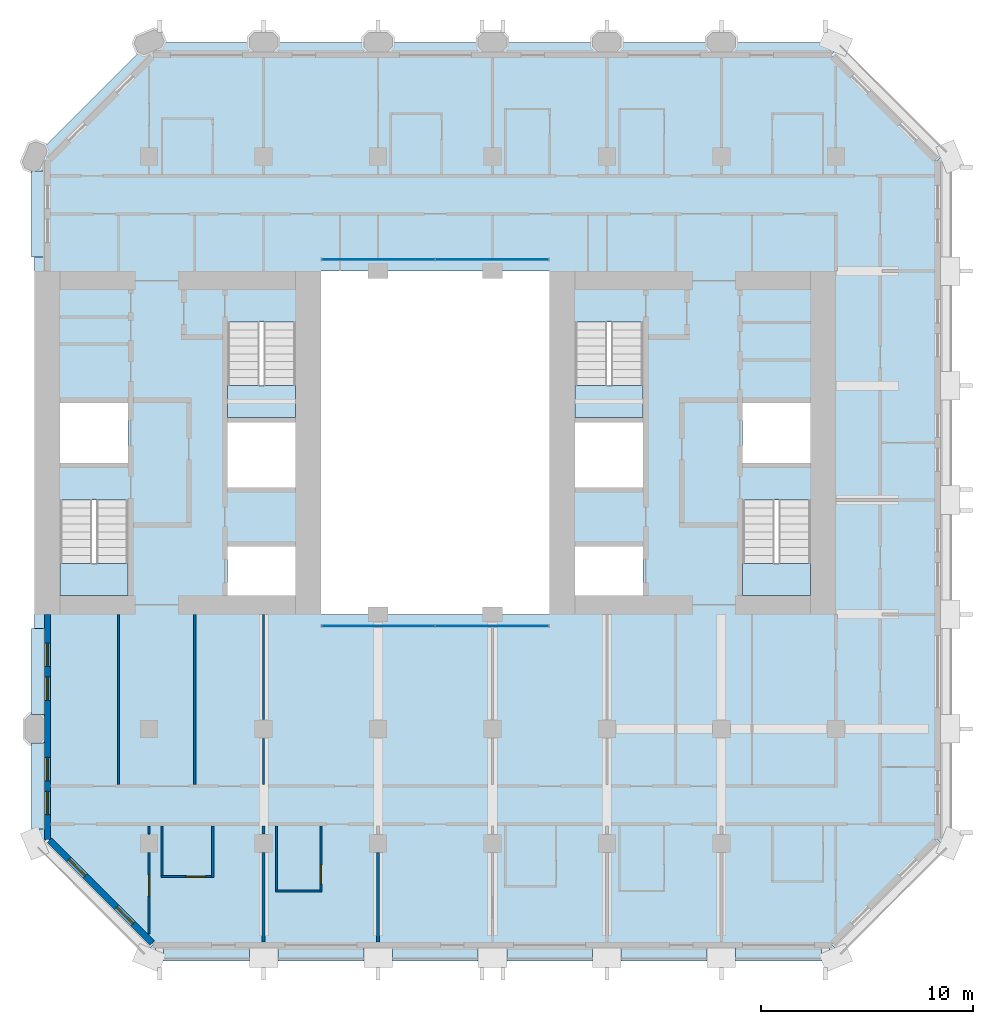
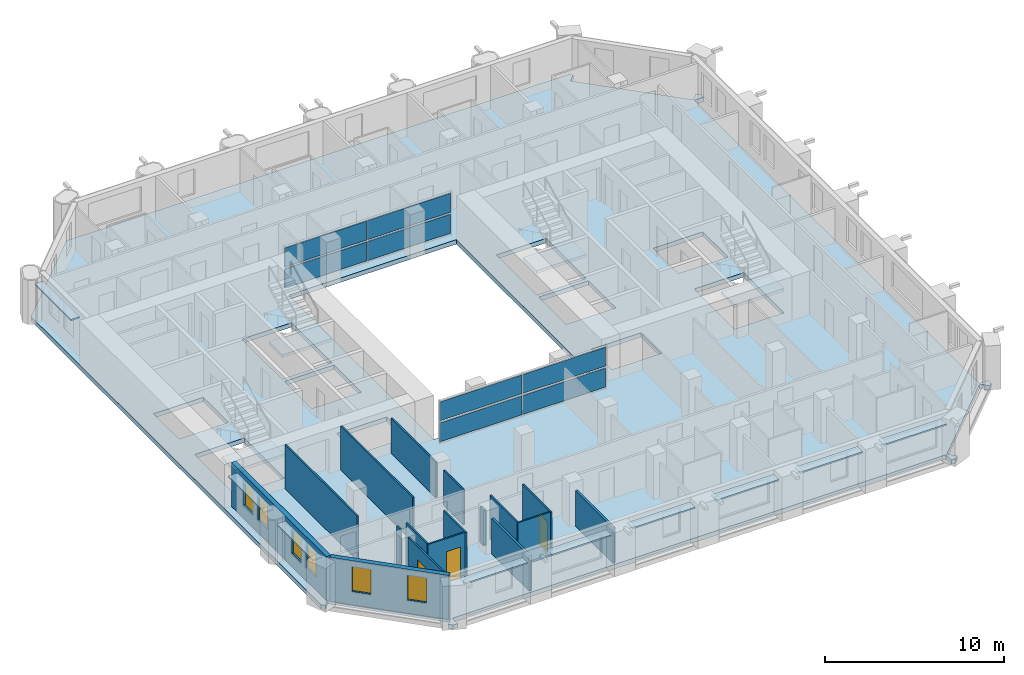
# One storey, part 5 of 13: 17 plates, 17 walls, 6 windows, 5 slabs, 3 doors, 9 openings, 6 elements without a shape of their own.
"""IFC4 building model written with IfcOpenShell, lengths in metres."""

from ifc_helpers import new_model, si_unit, direction, frame, frame_2d, origin, origin_2d, place, context, subcontext, project, spatial, polyline, rectangle, outline, extrude, material, layer, layer_set, type_object, element, fill, aggregate, save


model = new_model("IFC4")

# Units and contexts
model_context = context("Model", 3, precision=1e-05, world=origin(), true_north=direction((0.0, 1.0)))
body_context = subcontext(model_context, "Body", "Model", "MODEL_VIEW")
ifc_project = project(units=[si_unit("LENGTHUNIT", "METRE"), si_unit("AREAUNIT", "SQUARE_METRE"), si_unit("VOLUMEUNIT", "CUBIC_METRE"), si_unit("PLANEANGLEUNIT", "RADIAN"), si_unit("MASSUNIT", "GRAM", prefix="KILO")], contexts=[model_context])

# Site, building, storey
site_placement = place(None, origin())
site = spatial("IfcSite", under=ifc_project, at=site_placement, CompositionType="ELEMENT")
building_placement = place(site_placement, origin())
building = spatial("IfcBuilding", under=site, at=building_placement, Name="Tabaq Tower and Sports Hall", CompositionType="ELEMENT")
storey_placement = place(building_placement, frame((0.0, 0.0, 162.699951171875)))
storey = spatial("IfcBuildingStorey", under=building, at=storey_placement, Name="L38", CompositionType="ELEMENT", Elevation=162.699951171875)

# Curtain wall, plates
ifc_material_1 = material(Name="Aluminium alloy 6063-T6 framed glazing", Category="aluminium")
curtain_wall_type = type_object("IfcCurtainWallType", Name="CW1 curtain wall", PredefinedType="USERDEFINED", material=ifc_material_1)
curtain_wall_1_placement = place(storey_placement, origin())
curtain_wall_1 = element("IfcCurtainWall", 1, at=curtain_wall_1_placement, inside=storey, type_object=curtain_wall_type, Name="Atrium glazing L38 S", ObjectType="ATRIUM ENCLOSURE", PredefinedType="USERDEFINED")
ifc_material_2 = material(Name="Clear low-emissivity glass 28 mm", Category="glass")
ifc_layer_1 = layer(ifc_material_2, 0.028076171875)
ifc_layer_set_1 = layer_set([ifc_layer_1], Name="CW1 glass panel 28")
plate_type_1 = type_object("IfcPlateType", Name="CW1 glass panel 28", PredefinedType="CURTAIN_PANEL", material=ifc_layer_set_1)
plate_1_placement = place(storey_placement, frame((21.614990234375, 15.64990234375, 0.14013671875), z_axis=(0.0, 0.0, 1.0), x_axis=(1.0, 0.0, 0.0)))
plate_1 = element("IfcPlate", 2, at=plate_1_placement, type_object=plate_type_1, Name="CW1 panel 1.1", PredefinedType="CURTAIN_PANEL", context=body_context, shape_type="SweptSolid", body=[
    extrude(rectangle(XDim=5.31005859375, YDim=0.028076171875, at=origin_2d()), origin(), (0.0, 0.0, 1.0), 1.2900390625),
])
plate_2_placement = place(storey_placement, frame((21.614990234375, 15.64990234375, 1.570068359375), z_axis=(0.0, 0.0, 1.0), x_axis=(1.0, 0.0, 0.0)))
plate_2 = element("IfcPlate", 3, at=plate_2_placement, type_object=plate_type_1, Name="CW1 panel 1.2", PredefinedType="CURTAIN_PANEL", context=body_context, shape_type="SweptSolid", body=[
    extrude(rectangle(XDim=5.31005859375, YDim=0.028076171875, at=origin_2d()), origin(), (0.0, 0.0, 1.0), 1.2900390625),
])
plate_3_placement = place(storey_placement, frame((26.985107421875, 15.64990234375, 0.14013671875), z_axis=(0.0, 0.0, 1.0), x_axis=(1.0, 0.0, 0.0)))
plate_3 = element("IfcPlate", 4, at=plate_3_placement, type_object=plate_type_1, Name="CW1 panel 2.1", PredefinedType="CURTAIN_PANEL", context=body_context, shape_type="SweptSolid", body=[
    extrude(rectangle(XDim=5.31005859375, YDim=0.028076171875, at=origin_2d()), origin(), (0.0, 0.0, 1.0), 1.2900390625),
])
plate_4_placement = place(storey_placement, frame((26.985107421875, 15.64990234375, 1.570068359375), z_axis=(0.0, 0.0, 1.0), x_axis=(1.0, 0.0, 0.0)))
plate_4 = element("IfcPlate", 5, at=plate_4_placement, type_object=plate_type_1, Name="CW1 panel 2.2", PredefinedType="CURTAIN_PANEL", context=body_context, shape_type="SweptSolid", body=[
    extrude(rectangle(XDim=5.31005859375, YDim=0.028076171875, at=origin_2d()), origin(), (0.0, 0.0, 1.0), 1.2900390625),
])
aggregate(curtain_wall_1, [plate_1, plate_2, plate_3, plate_4])

curtain_wall_2_placement = place(storey_placement, origin())
curtain_wall_2 = element("IfcCurtainWall", 6, at=curtain_wall_2_placement, inside=storey, type_object=curtain_wall_type, Name="Atrium glazing L38 N", ObjectType="ATRIUM ENCLOSURE", PredefinedType="USERDEFINED")
plate_5_placement = place(storey_placement, frame((21.614990234375, 32.949951171875, 0.14013671875), z_axis=(0.0, 0.0, 1.0), x_axis=(1.0, 0.0, 0.0)))
plate_5 = element("IfcPlate", 7, at=plate_5_placement, type_object=plate_type_1, Name="CW1 panel 1.1", PredefinedType="CURTAIN_PANEL", context=body_context, shape_type="SweptSolid", body=[
    extrude(rectangle(XDim=5.31005859375, YDim=0.028076171875, at=origin_2d()), origin(), (0.0, 0.0, 1.0), 1.2900390625),
])
plate_6_placement = place(storey_placement, frame((21.614990234375, 32.949951171875, 1.570068359375), z_axis=(0.0, 0.0, 1.0), x_axis=(1.0, 0.0, 0.0)))
plate_6 = element("IfcPlate", 8, at=plate_6_placement, type_object=plate_type_1, Name="CW1 panel 1.2", PredefinedType="CURTAIN_PANEL", context=body_context, shape_type="SweptSolid", body=[
    extrude(rectangle(XDim=5.31005859375, YDim=0.028076171875, at=origin_2d()), origin(), (0.0, 0.0, 1.0), 1.2900390625),
])
plate_7_placement = place(storey_placement, frame((26.985107421875, 32.949951171875, 0.14013671875), z_axis=(0.0, 0.0, 1.0), x_axis=(1.0, 0.0, 0.0)))
plate_7 = element("IfcPlate", 9, at=plate_7_placement, type_object=plate_type_1, Name="CW1 panel 2.1", PredefinedType="CURTAIN_PANEL", context=body_context, shape_type="SweptSolid", body=[
    extrude(rectangle(XDim=5.31005859375, YDim=0.028076171875, at=origin_2d()), origin(), (0.0, 0.0, 1.0), 1.2900390625),
])
plate_8_placement = place(storey_placement, frame((26.985107421875, 32.949951171875, 1.570068359375), z_axis=(0.0, 0.0, 1.0), x_axis=(1.0, 0.0, 0.0)))
plate_8 = element("IfcPlate", 10, at=plate_8_placement, type_object=plate_type_1, Name="CW1 panel 2.2", PredefinedType="CURTAIN_PANEL", context=body_context, shape_type="SweptSolid", body=[
    extrude(rectangle(XDim=5.31005859375, YDim=0.028076171875, at=origin_2d()), origin(), (0.0, 0.0, 1.0), 1.2900390625),
])
aggregate(curtain_wall_2, [plate_5, plate_6, plate_7, plate_8])

# Stair, slab
ifc_material_3 = material(Name="Concrete C40/50", Category="concrete")
stair_type = type_object("IfcStairType", Name="Exit stair", PredefinedType="HALF_TURN_STAIR", material=ifc_material_3)
stair_1_placement = place(storey_placement, origin())
stair_1 = element("IfcStair", 11, at=stair_1_placement, inside=storey, type_object=stair_type, Name="L38 Exit stair ST1", PredefinedType="HALF_TURN_STAIR")
ifc_material_4 = material(Name="Concrete C40/50", Category="concrete")
ifc_layer_2 = layer(ifc_material_4, 0.199951171875)
ifc_layer_set_2 = layer_set([ifc_layer_2], Name="Exit stair landing")
slab_type_1 = type_object("IfcSlabType", Name="Exit stair landing", PredefinedType="LANDING", material=ifc_layer_set_2)
slab_1_placement = place(storey_placement, frame((0.0, 0.0, 1.449951171875)))
slab_1 = element("IfcSlab", 12, at=slab_1_placement, type_object=slab_type_1, Name="ST1 landing 1", PredefinedType="LANDING", context=body_context, shape_type="SweptSolid", body=[
    extrude(outline(polyline([(6.60009765625, 18.60009765625), (6.60009765625, 17.10009765625), (9.800048828125, 17.10009765625), (9.800048828125, 18.60009765625), (6.60009765625, 18.60009765625)])), origin(), (0.0, 0.0, 1.0), 0.2001953125),
])
aggregate(stair_1, [slab_1])

stair_2_placement = place(storey_placement, origin())
stair_2 = element("IfcStair", 13, at=stair_2_placement, inside=storey, type_object=stair_type, Name="L38 Exit stair ST2", PredefinedType="HALF_TURN_STAIR")
slab_2_placement = place(storey_placement, frame((0.0, 0.0, 1.449951171875)))
slab_2 = element("IfcSlab", 14, at=slab_2_placement, type_object=slab_type_1, Name="ST2 landing 1", PredefinedType="LANDING", context=body_context, shape_type="SweptSolid", body=[
    extrude(outline(polyline([(14.5, 27.0), (14.5, 25.5), (17.699951171875, 25.5), (17.699951171875, 27.0), (14.5, 27.0)])), origin(), (0.0, 0.0, 1.0), 0.2001953125),
])
aggregate(stair_2, [slab_2])

stair_3_placement = place(storey_placement, origin())
stair_3 = element("IfcStair", 15, at=stair_3_placement, inside=storey, type_object=stair_type, Name="L38 Exit stair ST3", PredefinedType="HALF_TURN_STAIR")
slab_3_placement = place(storey_placement, frame((0.0, 0.0, 1.449951171875)))
slab_3 = element("IfcSlab", 16, at=slab_3_placement, type_object=slab_type_1, Name="ST3 landing 1", PredefinedType="LANDING", context=body_context, shape_type="SweptSolid", body=[
    extrude(outline(polyline([(38.800048828125, 18.60009765625), (38.800048828125, 17.10009765625), (42.0, 17.10009765625), (42.0, 18.60009765625), (38.800048828125, 18.60009765625)])), origin(), (0.0, 0.0, 1.0), 0.2001953125),
])
aggregate(stair_3, [slab_3])

stair_4_placement = place(storey_placement, origin())
stair_4 = element("IfcStair", 17, at=stair_4_placement, inside=storey, type_object=stair_type, Name="L38 Exit stair ST4", PredefinedType="HALF_TURN_STAIR")
slab_4_placement = place(storey_placement, frame((0.0, 0.0, 1.449951171875)))
slab_4 = element("IfcSlab", 18, at=slab_4_placement, type_object=slab_type_1, Name="ST4 landing 1", PredefinedType="LANDING", context=body_context, shape_type="SweptSolid", body=[
    extrude(outline(polyline([(30.89990234375, 27.0), (30.89990234375, 25.5), (34.10009765625, 25.5), (34.10009765625, 27.0), (30.89990234375, 27.0)])), origin(), (0.0, 0.0, 1.0), 0.2001953125),
])
aggregate(stair_4, [slab_4])

# Slab
ifc_material_5 = material(Name="Concrete C40/50", Category="concrete")
ifc_layer_3 = layer(ifc_material_5, 0.300048828125)
ifc_layer_set_3 = layer_set([ifc_layer_3], Name="PT FLOOR SLAB 300 C40/50")
slab_type_2 = type_object("IfcSlabType", Name="PT FLOOR SLAB 300 C40/50", PredefinedType="FLOOR", material=ifc_layer_set_3)
slab_5_placement = place(storey_placement, frame((0.0, 0.0, -0.300048828125)))
element("IfcSlab", 19, at=slab_5_placement, inside=storey, type_object=slab_type_2, Name="Floor Slab L38", PredefinedType="FLOOR", context=body_context, shape_type="SweptSolid", body=[
    extrude(outline(polyline([(5.39990234375, 37.800048828125), (5.39990234375, 5.39990234375), (5.57666015625, 5.22314453125), (5.930419921875, 5.57666015625), (6.0009765625, 5.6474609375), (11.01318359375, 0.63525390625), (10.5888671875, 0.211181640625), (10.800048828125, 0.0), (11.0986328125, 0.0), (11.0986328125, 0.5), (11.0986328125, 0.60009765625), (42.9013671875, 0.60009765625), (42.9013671875, 0.5), (42.9013671875, 0.0), (43.199951171875, 0.0), (43.4111328125, 0.211181640625), (42.98681640625, 0.63525390625), (47.964599609375, 5.61328125), (48.035400390625, 5.54248046875), (48.388916015625, 5.18896484375), (48.60009765625, 5.39990234375), (48.60009765625, 5.698486328125), (48.10009765625, 5.698486328125), (48.0, 5.698486328125), (48.0, 37.50146484375), (48.10009765625, 37.50146484375), (48.60009765625, 37.50146484375), (48.60009765625, 37.800048828125), (48.388916015625, 38.010986328125), (48.035400390625, 37.657470703125), (47.964599609375, 37.5869140625), (42.952392578125, 42.598876953125), (43.023193359375, 42.669677734375), (43.376708984375, 43.023193359375), (43.199951171875, 43.199951171875), (10.800048828125, 43.199951171875), (5.39990234375, 37.800048828125)]), holes=[polyline([(14.5, 19.39990234375), (17.699951171875, 19.39990234375), (17.699951171875, 17.10009765625), (14.5, 17.10009765625), (14.5, 19.39990234375)]), polyline([(6.60009765625, 21.599365234375), (9.800048828125, 21.599365234375), (9.800048828125, 17.10009765625), (6.60009765625, 17.10009765625), (6.60009765625, 21.599365234375)]), polyline([(14.5, 25.25), (17.699951171875, 25.25), (17.699951171875, 22.199951171875), (14.5, 22.199951171875), (14.5, 25.25)]), polyline([(18.89990234375, 32.39990234375), (29.699951171875, 32.39990234375), (29.699951171875, 16.199951171875), (18.89990234375, 16.199951171875), (18.89990234375, 32.39990234375)]), polyline([(9.800048828125, 26.175048828125), (9.800048828125, 23.35009765625), (6.60009765625, 23.35009765625), (6.60009765625, 26.175048828125), (9.800048828125, 26.175048828125)]), polyline([(14.5, 29.99951171875), (17.699951171875, 29.99951171875), (17.699951171875, 25.5), (14.5, 25.5), (14.5, 29.99951171875)]), polyline([(34.10009765625, 19.39990234375), (34.10009765625, 17.10009765625), (30.89990234375, 17.10009765625), (30.89990234375, 19.39990234375), (34.10009765625, 19.39990234375)]), polyline([(42.0, 21.599365234375), (42.0, 17.10009765625), (38.800048828125, 17.10009765625), (38.800048828125, 21.599365234375), (42.0, 21.599365234375)]), polyline([(30.89990234375, 25.25), (34.10009765625, 25.25), (34.10009765625, 22.199951171875), (30.89990234375, 22.199951171875), (30.89990234375, 25.25)]), polyline([(42.0, 26.175048828125), (42.0, 23.35009765625), (38.800048828125, 23.35009765625), (38.800048828125, 26.175048828125), (42.0, 26.175048828125)]), polyline([(34.10009765625, 29.99951171875), (34.10009765625, 25.5), (30.89990234375, 25.5), (30.89990234375, 29.99951171875), (34.10009765625, 29.99951171875)])]), origin(), (0.0, 0.0, 1.0), 0.300048828125),
])

# Plates
ifc_material_6 = material(Name="White precast concrete C60/75 blade", Category="concrete")
ifc_layer_4 = layer(ifc_material_6, 0.10009765625)
ifc_layer_set_4 = layer_set([ifc_layer_4], Name="White precast concrete C60/75 sunshade 100")
plate_type_2 = type_object("IfcPlateType", Name="White precast concrete C60/75 sunshade 100", PredefinedType="USERDEFINED", material=ifc_layer_set_4)
for number, where, z_axis, x_axis, name in (
    (20, (13.5, 0.14990234375, 2.60009765625), (0.0, 0.0, 1.0), (1.0, 0.0, 0.0), "Sunshade L38 S"),
    (21, (18.89990234375, 0.14990234375, 2.60009765625), (0.0, 0.0, 1.0), (1.0, 0.0, 0.0), "Sunshade L38 S"),
    (22, (24.300048828125, 0.14990234375, 2.60009765625), (0.0, 0.0, 1.0), (1.0, 0.0, 0.0), "Sunshade L38 S"),
    (23, (29.699951171875, 0.14990234375, 2.60009765625), (0.0, 0.0, 1.0), (1.0, 0.0, 0.0), "Sunshade L38 S"),
    (24, (35.10009765625, 0.14990234375, 2.60009765625), (0.0, 0.0, 1.0), (1.0, 0.0, 0.0), "Sunshade L38 S"),
    (25, (40.5, 0.14990234375, 2.60009765625), (0.0, 0.0, 1.0), (1.0, 0.0, 0.0), "Sunshade L38 S"),
    (26, (5.550048828125, 35.10009765625, 2.60009765625), (0.0, 0.0, 1.0), (0.0, -1.0, 0.0), "Sunshade L38 W"),
    (27, (5.550048828125, 13.5, 2.60009765625), (0.0, 0.0, 1.0), (0.0, -1.0, 0.0), "Sunshade L38 W"),
    (28, (5.550048828125, 8.10009765625, 2.60009765625), (0.0, 0.0, 1.0), (0.0, -1.0, 0.0), "Sunshade L38 W"),
):
    element("IfcPlate", number, at=place(storey_placement, frame(where, z_axis=z_axis, x_axis=x_axis)), inside=storey, type_object=plate_type_2, Name=name, ObjectType="SUNSHADE", PredefinedType="USERDEFINED", context=body_context, shape_type="SweptSolid", body=[
        extrude(rectangle(XDim=4.050048828125, YDim=0.60009765625, at=origin_2d()), origin(), (0.0, 0.0, 1.0), 0.10009765625),
    ])

# Wall
ifc_material_7 = material(Name="Gypsum board on steel studs", Category="steel")
ifc_layer_5 = layer(ifc_material_7, 0.10009765625)
ifc_layer_set_5 = layer_set([ifc_layer_5], Name="Partition 100 Gypsum board")
wall_type_1 = type_object("IfcWallType", Name="Partition 100 Gypsum board", PredefinedType="PARTITIONING", material=ifc_layer_set_5)
wall_1_placement = place(storey_placement, frame((13.800048828125, 6.22509765625, 0.0), z_axis=(0.0, 0.0, 1.0), x_axis=(0.0, -1.0, 0.0)))
element("IfcWall", 29, at=wall_1_placement, inside=storey, type_object=wall_type_1, Name="Partition wall L38", PredefinedType="PARTITIONING", context=body_context, shape_type="SweptSolid", body=[
    extrude(rectangle(XDim=2.4501953125, YDim=0.10009765625, at=frame_2d((1.22509765625, 0.0))), origin(), (0.0, 0.0, 1.0), 3.0),
])

# Wall, opening, door
wall_2_placement = place(storey_placement, frame((13.75, 3.824951171875, 0.0), z_axis=(0.0, 0.0, 1.0), x_axis=(-1.0, 0.0, 0.0)))
wall_2 = element("IfcWall", 30, at=wall_2_placement, inside=storey, type_object=wall_type_1, Name="Partition wall L38", PredefinedType="PARTITIONING", context=body_context, shape_type="SweptSolid", body=[
    extrude(rectangle(XDim=2.39990234375, YDim=0.10009765625, at=frame_2d((1.199951171875, 0.0))), origin(), (0.0, 0.0, 1.0), 3.0),
])
opening_1_placement = place(wall_2_placement, frame((0.300048828125, 0.0, 0.0)))
opening_1 = element("IfcOpeningElement", 31, at=opening_1_placement, cuts=wall_2, Name="Opening L38-016", PredefinedType="OPENING", context=body_context, shape_type="SweptSolid", body=[
    extrude(rectangle(XDim=0.89990234375, YDim=2.10009765625, at=frame_2d((0.449951171875, 1.050048828125))), frame((0.0, 0.050048828125, 0.0), z_axis=(0.0, -1.0, 0.0), x_axis=(1.0, 0.0, 0.0)), (0.0, 0.0, 1.0), 0.10009765625),
])
ifc_material_8 = material(Name="Timber leaf in steel frame", Category="steel")
door_type_1 = type_object("IfcDoorType", Name="Internal door 900 left hand", OperationType="SINGLE_SWING_LEFT", PredefinedType="DOOR", material=ifc_material_8)
door_1_placement = place(opening_1_placement, origin())
door_1 = element("IfcDoor", 32, at=door_1_placement, inside=storey, type_object=door_type_1, Name="Internal door L38-016", OperationType="SINGLE_SWING_LEFT", OverallHeight=2.10009765625, OverallWidth=0.89990234375, PredefinedType="DOOR", context=body_context, shape_type="SweptSolid", body=[
    extrude(rectangle(XDim=0.89990234375, YDim=2.10009765625, at=frame_2d((0.449951171875, 1.050048828125))), frame((0.0, 0.02490234375, 0.0), z_axis=(0.0, -1.0, 0.0), x_axis=(1.0, 0.0, 0.0)), (0.0, 0.0, 1.0), 0.050048828125),
])
fill(opening_1, door_1)

# Walls
wall_3_placement = place(storey_placement, frame((11.39990234375, 3.875, 0.0), z_axis=(0.0, 0.0, 1.0), x_axis=(0.0, 1.0, 0.0)))
element("IfcWall", 33, at=wall_3_placement, inside=storey, type_object=wall_type_1, Name="Partition wall L38", PredefinedType="PARTITIONING", context=body_context, shape_type="SweptSolid", body=[
    extrude(rectangle(XDim=2.35009765625, YDim=0.10009765625, at=frame_2d((1.175048828125, 0.0))), origin(), (0.0, 0.0, 1.0), 3.0),
])
wall_4_placement = place(storey_placement, frame((10.800048828125, 6.22509765625, 0.0), z_axis=(0.0, 0.0, 1.0), x_axis=(0.0, -1.0, 0.0)))
element("IfcWall", 34, at=wall_4_placement, inside=storey, type_object=wall_type_1, Name="Partition wall L38", PredefinedType="PARTITIONING", context=body_context, shape_type="SweptSolid", body=[
    extrude(rectangle(XDim=0.380126953125, YDim=0.10009765625, at=frame_2d((0.18994140625, 0.0))), origin(), (0.0, 0.0, 1.0), 3.0),
])

# Wall, opening, door
wall_5_placement = place(storey_placement, frame((10.800048828125, 4.955078125, 0.0), z_axis=(0.0, 0.0, 1.0), x_axis=(0.0, -1.0, 0.0)))
wall_5 = element("IfcWall", 35, at=wall_5_placement, inside=storey, type_object=wall_type_1, Name="Partition wall L38", PredefinedType="PARTITIONING", context=body_context, shape_type="SweptSolid", body=[
    extrude(rectangle(XDim=3.843017578125, YDim=0.10009765625, at=frame_2d((1.92138671875, 0.0))), origin(), (0.0, 0.0, 1.0), 3.0),
])
opening_2_placement = place(wall_5_placement, frame((1.04248046875, 0.0, 0.0)))
opening_2 = element("IfcOpeningElement", 36, at=opening_2_placement, cuts=wall_5, Name="Opening L38-040", PredefinedType="OPENING", context=body_context, shape_type="SweptSolid", body=[
    extrude(rectangle(XDim=1.0, YDim=2.10009765625, at=frame_2d((0.5, 1.050048828125))), frame((0.0, 0.050048828125, 0.0), z_axis=(0.0, -1.0, 0.0), x_axis=(1.0, 0.0, 0.0)), (0.0, 0.0, 1.0), 0.10009765625),
])
ifc_material_9 = material(Name="Timber leaf in steel frame", Category="steel")
door_type_2 = type_object("IfcDoorType", Name="Internal door 1000 left hand", OperationType="SINGLE_SWING_LEFT", PredefinedType="DOOR", material=ifc_material_9)
door_2_placement = place(opening_2_placement, origin())
door_2 = element("IfcDoor", 37, at=door_2_placement, inside=storey, type_object=door_type_2, Name="Internal door L38-040", OperationType="SINGLE_SWING_LEFT", OverallHeight=2.10009765625, OverallWidth=1.0, PredefinedType="DOOR", context=body_context, shape_type="SweptSolid", body=[
    extrude(rectangle(XDim=1.0, YDim=2.10009765625, at=frame_2d((0.5, 1.050048828125))), frame((0.0, 0.02490234375, 0.0), z_axis=(0.0, -1.0, 0.0), x_axis=(1.0, 0.0, 0.0)), (0.0, 0.0, 1.0), 0.050048828125),
])
fill(opening_2, door_2)

wall_6_placement = place(storey_placement, frame((18.89990234375, 6.22509765625, 0.0), z_axis=(0.0, 0.0, 1.0), x_axis=(0.0, -1.0, 0.0)))
wall_6 = element("IfcWall", 38, at=wall_6_placement, inside=storey, type_object=wall_type_1, Name="Partition wall L38", PredefinedType="PARTITIONING", context=body_context, shape_type="SweptSolid", body=[
    extrude(rectangle(XDim=3.125, YDim=0.10009765625, at=frame_2d((1.5625, 0.0))), origin(), (0.0, 0.0, 1.0), 3.0),
])
opening_3_placement = place(wall_6_placement, frame((1.83740234375, 0.0, 0.0)))
opening_3 = element("IfcOpeningElement", 39, at=opening_3_placement, cuts=wall_6, Name="Opening L38-017", PredefinedType="OPENING", context=body_context, shape_type="SweptSolid", body=[
    extrude(rectangle(XDim=0.89990234375, YDim=2.10009765625, at=frame_2d((0.449951171875, 1.050048828125))), frame((0.0, 0.050048828125, 0.0), z_axis=(0.0, -1.0, 0.0), x_axis=(1.0, 0.0, 0.0)), (0.0, 0.0, 1.0), 0.10009765625),
])
door_3_placement = place(opening_3_placement, origin())
door_3 = element("IfcDoor", 40, at=door_3_placement, inside=storey, type_object=door_type_1, Name="Internal door L38-017", OperationType="SINGLE_SWING_LEFT", OverallHeight=2.10009765625, OverallWidth=0.89990234375, PredefinedType="DOOR", context=body_context, shape_type="SweptSolid", body=[
    extrude(rectangle(XDim=0.89990234375, YDim=2.10009765625, at=frame_2d((0.449951171875, 1.050048828125))), frame((0.0, 0.02490234375, 0.0), z_axis=(0.0, -1.0, 0.0), x_axis=(1.0, 0.0, 0.0)), (0.0, 0.0, 1.0), 0.050048828125),
])
fill(opening_3, door_3)

# Walls
wall_7_placement = place(storey_placement, frame((18.85009765625, 3.14990234375, 0.0), z_axis=(0.0, 0.0, 1.0), x_axis=(-1.0, 0.0, 0.0)))
element("IfcWall", 41, at=wall_7_placement, inside=storey, type_object=wall_type_1, Name="Partition wall L38", PredefinedType="PARTITIONING", context=body_context, shape_type="SweptSolid", body=[
    extrude(rectangle(XDim=2.10009765625, YDim=0.10009765625, at=frame_2d((1.050048828125, 0.0))), origin(), (0.0, 0.0, 1.0), 3.0),
])
wall_8_placement = place(storey_placement, frame((16.800048828125, 3.199951171875, 0.0), z_axis=(0.0, 0.0, 1.0), x_axis=(0.0, 1.0, 0.0)))
element("IfcWall", 42, at=wall_8_placement, inside=storey, type_object=wall_type_1, Name="Partition wall L38", PredefinedType="PARTITIONING", context=body_context, shape_type="SweptSolid", body=[
    extrude(rectangle(XDim=3.025146484375, YDim=0.10009765625, at=frame_2d((1.5126953125, 0.0))), origin(), (0.0, 0.0, 1.0), 3.0),
])
wall_9_placement = place(storey_placement, frame((16.199951171875, 16.199951171875, 0.0), z_axis=(0.0, 0.0, 1.0), x_axis=(0.0, -1.0, 0.0)))
element("IfcWall", 43, at=wall_9_placement, inside=storey, type_object=wall_type_1, Name="Partition wall L38", PredefinedType="PARTITIONING", context=body_context, shape_type="SweptSolid", body=[
    extrude(rectangle(XDim=4.954833984375, YDim=0.10009765625, at=frame_2d((2.4775390625, 0.0))), origin(), (0.0, 0.0, 1.0), 2.400146484375),
])
wall_10_placement = place(storey_placement, frame((16.199951171875, 10.35498046875, 0.0), z_axis=(0.0, 0.0, 1.0), x_axis=(0.0, -1.0, 0.0)))
element("IfcWall", 44, at=wall_10_placement, inside=storey, type_object=wall_type_1, Name="Partition wall L38", PredefinedType="PARTITIONING", context=body_context, shape_type="SweptSolid", body=[
    extrude(rectangle(XDim=2.179931640625, YDim=0.10009765625, at=frame_2d((1.08984375, 0.0))), origin(), (0.0, 0.0, 1.0), 2.400146484375),
])
for number, where, z_axis, x_axis, name in (
    (45, (9.35009765625, 16.199951171875, 0.0), (0.0, 0.0, 1.0), (0.0, -1.0, 0.0), "Partition wall L38"),
    (46, (12.949951171875, 8.175048828125, 0.0), (0.0, 0.0, 1.0), (0.0, 1.0, 0.0), "Partition wall L38"),
):
    element("IfcWall", number, at=place(storey_placement, frame(where, z_axis=z_axis, x_axis=x_axis)), inside=storey, type_object=wall_type_1, Name=name, PredefinedType="PARTITIONING", context=body_context, shape_type="SweptSolid", body=[
        extrude(rectangle(XDim=8.02490234375, YDim=0.10009765625, at=frame_2d((4.012451171875, 0.0))), origin(), (0.0, 0.0, 1.0), 3.0),
    ])
ifc_material_10 = material(Name="Blockwork", Category="masonry")
ifc_layer_6 = layer(ifc_material_10, 0.14990234375)
ifc_layer_set_6 = layer_set([ifc_layer_6], Name="Separating wall 150 Blockwork")
wall_type_2 = type_object("IfcWallType", Name="Separating wall 150 Blockwork", PredefinedType="PARTITIONING", material=ifc_layer_set_6)
wall_11_placement = place(storey_placement, frame((16.199951171875, 0.7509765625, 0.0), z_axis=(0.0, 0.0, 1.0), x_axis=(0.0, 1.0, 0.0)))
element("IfcWall", 47, at=wall_11_placement, inside=storey, type_object=wall_type_2, Name="Separating wall L38", PredefinedType="PARTITIONING", context=body_context, shape_type="SweptSolid", body=[
    extrude(rectangle(XDim=4.2041015625, YDim=0.14990234375, at=frame_2d((2.10205078125, 0.0))), origin(), (0.0, 0.0, 1.0), 2.400146484375),
])
wall_12_placement = place(storey_placement, frame((16.199951171875, 5.844970703125, 0.0), z_axis=(0.0, 0.0, 1.0), x_axis=(0.0, 1.0, 0.0)))
element("IfcWall", 48, at=wall_12_placement, inside=storey, type_object=wall_type_2, Name="Separating wall L38", PredefinedType="PARTITIONING", context=body_context, shape_type="SweptSolid", body=[
    extrude(rectangle(XDim=0.380126953125, YDim=0.14990234375, at=frame_2d((0.18994140625, 0.0))), origin(), (0.0, 0.0, 1.0), 2.400146484375),
])
wall_13_placement = place(storey_placement, frame((21.60009765625, 0.7509765625, 0.0), z_axis=(0.0, 0.0, 1.0), x_axis=(0.0, 1.0, 0.0)))
element("IfcWall", 49, at=wall_13_placement, inside=storey, type_object=wall_type_2, Name="Separating wall L38", PredefinedType="PARTITIONING", context=body_context, shape_type="SweptSolid", body=[
    extrude(rectangle(XDim=4.2041015625, YDim=0.14990234375, at=frame_2d((2.10205078125, 0.0))), origin(), (0.0, 0.0, 1.0), 2.400146484375),
])

# Wall, openings, windows
ifc_material_11 = material(Name="White precast concrete C60/75", Category="concrete")
ifc_layer_7 = layer(ifc_material_11, 0.300048828125)
ifc_layer_set_7 = layer_set([ifc_layer_7], Name="White precast concrete C60/75 external wall 300")
wall_type_3 = type_object("IfcWallType", Name="White precast concrete C60/75 external wall 300", PredefinedType="SOLIDWALL", material=ifc_layer_set_7)
wall_14_placement = place(storey_placement, frame((6.0, 16.199951171875, 0.0), z_axis=(0.0, 0.0, 1.0), x_axis=(0.0, -1.0, 0.0)))
wall_14 = element("IfcWall", 50, at=wall_14_placement, inside=storey, type_object=wall_type_3, Name="External Wall L38 W", PredefinedType="SOLIDWALL", context=body_context, shape_type="SweptSolid", body=[
    extrude(rectangle(XDim=10.613525390625, YDim=0.300048828125, at=frame_2d((5.306640625, 0.0))), origin(), (0.0, 0.0, 1.0), 3.0),
])
opening_4_placement = place(wall_14_placement, frame((1.35009765625, 0.0, 0.89990234375)))
opening_4 = element("IfcOpeningElement", 51, at=opening_4_placement, cuts=wall_14, Name="Opening W1B", PredefinedType="OPENING", context=body_context, shape_type="SweptSolid", body=[
    extrude(rectangle(XDim=1.10009765625, YDim=1.699951171875, at=frame_2d((0.550048828125, 0.85009765625))), frame((0.0, 0.16015625, 0.0), z_axis=(0.0, -1.0, 0.0), x_axis=(1.0, 0.0, 0.0)), (0.0, 0.0, 1.0), 0.320068359375),
])
opening_5_placement = place(wall_14_placement, frame((2.949951171875, 0.0, 0.89990234375)))
opening_5 = element("IfcOpeningElement", 52, at=opening_5_placement, cuts=wall_14, Name="Opening W1B", PredefinedType="OPENING", context=body_context, shape_type="SweptSolid", body=[
    extrude(rectangle(XDim=1.10009765625, YDim=1.699951171875, at=frame_2d((0.550048828125, 0.85009765625))), frame((0.0, 0.16015625, 0.0), z_axis=(0.0, -1.0, 0.0), x_axis=(1.0, 0.0, 0.0)), (0.0, 0.0, 1.0), 0.320068359375),
])
opening_6_placement = place(wall_14_placement, frame((6.75, 0.0, 0.89990234375)))
opening_6 = element("IfcOpeningElement", 53, at=opening_6_placement, cuts=wall_14, Name="Opening W1B", PredefinedType="OPENING", context=body_context, shape_type="SweptSolid", body=[
    extrude(rectangle(XDim=1.10009765625, YDim=1.699951171875, at=frame_2d((0.550048828125, 0.85009765625))), frame((0.0, 0.16015625, 0.0), z_axis=(0.0, -1.0, 0.0), x_axis=(1.0, 0.0, 0.0)), (0.0, 0.0, 1.0), 0.320068359375),
])
opening_7_placement = place(wall_14_placement, frame((8.35009765625, 0.0, 0.89990234375)))
opening_7 = element("IfcOpeningElement", 54, at=opening_7_placement, cuts=wall_14, Name="Opening W1B", PredefinedType="OPENING", context=body_context, shape_type="SweptSolid", body=[
    extrude(rectangle(XDim=1.10009765625, YDim=1.699951171875, at=frame_2d((0.550048828125, 0.85009765625))), frame((0.0, 0.16015625, 0.0), z_axis=(0.0, -1.0, 0.0), x_axis=(1.0, 0.0, 0.0)), (0.0, 0.0, 1.0), 0.320068359375),
])
ifc_material_12 = material(Name="Aluminium framed clear glazing", Category="aluminium")
window_type = type_object("IfcWindowType", Name="Window W1B", PartitioningType="SINGLE_PANEL", PredefinedType="WINDOW", material=ifc_material_12)
window_1_placement = place(opening_4_placement, origin())
window_1 = element("IfcWindow", 55, at=window_1_placement, inside=storey, type_object=window_type, Name="Window W1B L38", OverallHeight=1.699951171875, OverallWidth=1.10009765625, PartitioningType="SINGLE_PANEL", PredefinedType="WINDOW", context=body_context, shape_type="SweptSolid", body=[
    extrude(rectangle(XDim=1.10009765625, YDim=1.699951171875, at=frame_2d((0.550048828125, 0.85009765625))), frame((0.0, 0.030029296875, 0.0), z_axis=(0.0, -1.0, 0.0), x_axis=(1.0, 0.0, 0.0)), (0.0, 0.0, 1.0), 0.06005859375),
])
fill(opening_4, window_1)
window_2_placement = place(opening_5_placement, origin())
window_2 = element("IfcWindow", 56, at=window_2_placement, inside=storey, type_object=window_type, Name="Window W1B L38", OverallHeight=1.699951171875, OverallWidth=1.10009765625, PartitioningType="SINGLE_PANEL", PredefinedType="WINDOW", context=body_context, shape_type="SweptSolid", body=[
    extrude(rectangle(XDim=1.10009765625, YDim=1.699951171875, at=frame_2d((0.550048828125, 0.85009765625))), frame((0.0, 0.030029296875, 0.0), z_axis=(0.0, -1.0, 0.0), x_axis=(1.0, 0.0, 0.0)), (0.0, 0.0, 1.0), 0.06005859375),
])
fill(opening_5, window_2)
window_3_placement = place(opening_6_placement, origin())
window_3 = element("IfcWindow", 57, at=window_3_placement, inside=storey, type_object=window_type, Name="Window W1B L38", OverallHeight=1.699951171875, OverallWidth=1.10009765625, PartitioningType="SINGLE_PANEL", PredefinedType="WINDOW", context=body_context, shape_type="SweptSolid", body=[
    extrude(rectangle(XDim=1.10009765625, YDim=1.699951171875, at=frame_2d((0.550048828125, 0.85009765625))), frame((0.0, 0.030029296875, 0.0), z_axis=(0.0, -1.0, 0.0), x_axis=(1.0, 0.0, 0.0)), (0.0, 0.0, 1.0), 0.06005859375),
])
fill(opening_6, window_3)
window_4_placement = place(opening_7_placement, origin())
window_4 = element("IfcWindow", 58, at=window_4_placement, inside=storey, type_object=window_type, Name="Window W1B L38", OverallHeight=1.699951171875, OverallWidth=1.10009765625, PartitioningType="SINGLE_PANEL", PredefinedType="WINDOW", context=body_context, shape_type="SweptSolid", body=[
    extrude(rectangle(XDim=1.10009765625, YDim=1.699951171875, at=frame_2d((0.550048828125, 0.85009765625))), frame((0.0, 0.030029296875, 0.0), z_axis=(0.0, -1.0, 0.0), x_axis=(1.0, 0.0, 0.0)), (0.0, 0.0, 1.0), 0.06005859375),
])
fill(opening_7, window_4)

wall_15_placement = place(storey_placement, frame((6.098876953125, 5.549560546875, 0.0), z_axis=(0.0, 0.0, 1.0), x_axis=(0.707106781187, -0.707106781187, 0.0)))
wall_15 = element("IfcWall", 59, at=wall_15_placement, inside=storey, type_object=wall_type_3, Name="External Wall L38 SW", PredefinedType="SOLIDWALL", context=body_context, shape_type="SweptSolid", body=[
    extrude(rectangle(XDim=6.85986328125, YDim=0.300048828125, at=frame_2d((3.429931640625, 0.0))), origin(), (0.0, 0.0, 1.0), 3.0),
])
opening_8_placement = place(wall_15_placement, frame((1.27978515625, 0.0, 0.89990234375)))
opening_8 = element("IfcOpeningElement", 60, at=opening_8_placement, cuts=wall_15, Name="Opening W1B", PredefinedType="OPENING", context=body_context, shape_type="SweptSolid", body=[
    extrude(rectangle(XDim=1.10009765625, YDim=1.699951171875, at=frame_2d((0.550048828125, 0.85009765625))), frame((0.0, 0.16015625, 0.0), z_axis=(0.0, -1.0, 0.0), x_axis=(1.0, 0.0, 0.0)), (0.0, 0.0, 1.0), 0.320068359375),
])
opening_9_placement = place(wall_15_placement, frame((4.479736328125, 0.0, 0.89990234375)))
opening_9 = element("IfcOpeningElement", 61, at=opening_9_placement, cuts=wall_15, Name="Opening W1B", PredefinedType="OPENING", context=body_context, shape_type="SweptSolid", body=[
    extrude(rectangle(XDim=1.10009765625, YDim=1.699951171875, at=frame_2d((0.550048828125, 0.85009765625))), frame((0.0, 0.16015625, 0.0), z_axis=(0.0, -1.0, 0.0), x_axis=(1.0, 0.0, 0.0)), (0.0, 0.0, 1.0), 0.320068359375),
])
window_5_placement = place(opening_8_placement, origin())
window_5 = element("IfcWindow", 62, at=window_5_placement, inside=storey, type_object=window_type, Name="Window W1B L38", OverallHeight=1.699951171875, OverallWidth=1.10009765625, PartitioningType="SINGLE_PANEL", PredefinedType="WINDOW", context=body_context, shape_type="SweptSolid", body=[
    extrude(rectangle(XDim=1.10009765625, YDim=1.699951171875, at=frame_2d((0.550048828125, 0.85009765625))), frame((0.0, 0.030029296875, 0.0), z_axis=(0.0, -1.0, 0.0), x_axis=(1.0, 0.0, 0.0)), (0.0, 0.0, 1.0), 0.06005859375),
])
fill(opening_8, window_5)
window_6_placement = place(opening_9_placement, origin())
window_6 = element("IfcWindow", 63, at=window_6_placement, inside=storey, type_object=window_type, Name="Window W1B L38", OverallHeight=1.699951171875, OverallWidth=1.10009765625, PartitioningType="SINGLE_PANEL", PredefinedType="WINDOW", context=body_context, shape_type="SweptSolid", body=[
    extrude(rectangle(XDim=1.10009765625, YDim=1.699951171875, at=frame_2d((0.550048828125, 0.85009765625))), frame((0.0, 0.030029296875, 0.0), z_axis=(0.0, -1.0, 0.0), x_axis=(1.0, 0.0, 0.0)), (0.0, 0.0, 1.0), 0.06005859375),
])
fill(opening_9, window_6)

save(model, "model.ifc")
